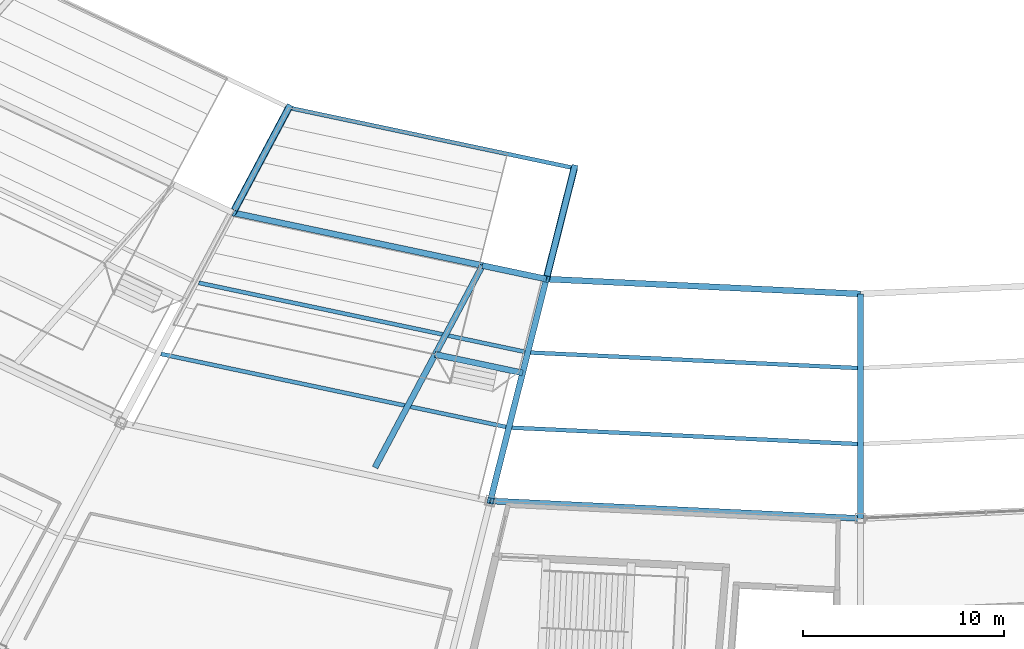
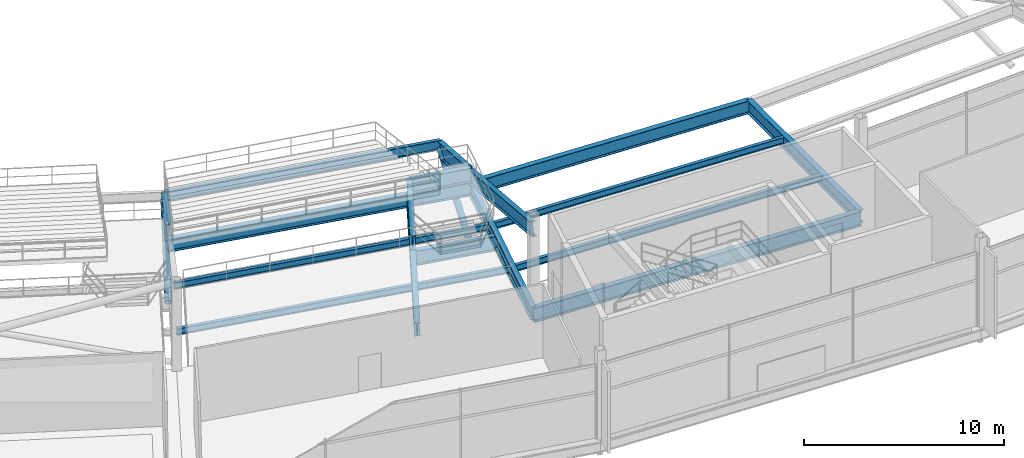
# One storey, part 32 of 186: 17 beams, 2 members.
"""IFC4 building model written with IfcOpenShell, lengths in metres."""

from ifc_helpers import new_model, si_unit, direction, frame, origin, origin_2d, place, context, subcontext, project, spatial, hollow_circle, i_section, extrude, material, material_profile, profile_set, type_object, element, save


model = new_model("IFC4")

# Units and contexts
model_context = context("Model", 3, precision=1e-05, world=origin(), true_north=direction((0.0, 1.0)))
body_context = subcontext(model_context, "Body", "Model", "MODEL_VIEW")
ifc_project = project(units=[si_unit("LENGTHUNIT", "METRE"), si_unit("AREAUNIT", "SQUARE_METRE"), si_unit("VOLUMEUNIT", "CUBIC_METRE"), si_unit("PLANEANGLEUNIT", "RADIAN"), si_unit("MASSUNIT", "GRAM", prefix="KILO")], contexts=[model_context])

# Site, building, storey
site_placement = place(None, origin())
site = spatial("IfcSite", under=ifc_project, at=site_placement, CompositionType="ELEMENT")
building_placement = place(site_placement, origin())
building = spatial("IfcBuilding", under=site, at=building_placement, Name="Kazemori Nagisa Stadium", CompositionType="ELEMENT")
storey_placement = place(building_placement, frame((0.0, 0.0, 20.39990234375)))
storey = spatial("IfcBuildingStorey", under=building, at=storey_placement, Name="L04", CompositionType="ELEMENT", Elevation=20.39990234375)

# Beams
ifc_material_1 = material(Name="Steel SN490B", Category="steel")
ifc_material_profile_1 = material_profile(ifc_material_1, i_section(OverallWidth=0.300048828125, OverallDepth=0.800048828125, WebThickness=0.013916015625, FlangeThickness=0.02587890625, FilletRadius=0.01806640625, at=origin_2d()), Name="H-800x300x14x26")
ifc_profile_set_1 = profile_set([ifc_material_profile_1], Name="Steel SN490B")
beam_type_1 = type_object("IfcBeamType", Name="Beam_BG-H800", PredefinedType="BEAM", material=ifc_profile_set_1)
beam_1_placement = place(storey_placement, frame((91.75244140625, 43.260986328125, -0.699951171875), z_axis=(0.978348272746, -0.206965352692, 0.0), x_axis=(0.206965352692, 0.978348272746, 0.0)))
element("IfcBeam", 1, at=beam_1_placement, inside=storey, type_object=beam_type_1, Name="Ring girder BG-H800 L04 R1-20", PredefinedType="BEAM", context=body_context, shape_type="SweptSolid", body=[
    extrude(i_section(OverallWidth=0.300048828125, OverallDepth=0.800048828125, WebThickness=0.013916015625, FlangeThickness=0.02587890625, FilletRadius=0.01806640625, at=origin_2d()), origin(), (0.0, 0.0, 1.0), 15.950927734375),
])
beam_2_placement = place(storey_placement, frame((107.35791015625, 39.959716796875, -0.699951171875), z_axis=(0.998883604512, -0.047239227746, 0.0), x_axis=(0.047239227746, 0.998883604512, 0.0)))
element("IfcBeam", 2, at=beam_2_placement, inside=storey, type_object=beam_type_1, Name="Ring girder BG-H800 L04 R1-21", PredefinedType="BEAM", context=body_context, shape_type="SweptSolid", body=[
    extrude(i_section(OverallWidth=0.300048828125, OverallDepth=0.800048828125, WebThickness=0.013916015625, FlangeThickness=0.02587890625, FilletRadius=0.01806640625, at=origin_2d()), origin(), (0.0, 0.0, 1.0), 15.65966796875),
])
beam_3_placement = place(storey_placement, frame((107.35791015625, 39.959716796875, -0.699951171875), z_axis=(-0.244481205955, -0.969654031052, 0.0), x_axis=(0.969654031052, -0.244481205955, 0.0)))
element("IfcBeam", 3, at=beam_3_placement, inside=storey, type_object=beam_type_1, Name="Radial girder BG-H800 L04 R1-R2-21", PredefinedType="BEAM", context=body_context, shape_type="SweptSolid", body=[
    extrude(i_section(OverallWidth=0.300048828125, OverallDepth=0.800048828125, WebThickness=0.013916015625, FlangeThickness=0.02587890625, FilletRadius=0.01806640625, at=origin_2d()), origin(), (0.0, 0.0, 1.0), 11.39404296875),
])
beam_4_placement = place(storey_placement, frame((123.0, 39.219970703125, -0.699951171875), z_axis=(0.0, -1.0, 0.0), x_axis=(1.0, 0.0, 0.0)))
element("IfcBeam", 4, at=beam_4_placement, inside=storey, type_object=beam_type_1, Name="Radial girder BG-H800 L04 R1-R2-22", PredefinedType="BEAM", context=body_context, shape_type="SweptSolid", body=[
    extrude(i_section(OverallWidth=0.300048828125, OverallDepth=0.800048828125, WebThickness=0.013916015625, FlangeThickness=0.02587890625, FilletRadius=0.01806640625, at=origin_2d()), origin(), (0.0, 0.0, 1.0), 11.179931640625),
])
beam_5_placement = place(storey_placement, frame((104.17822265625, 40.63232421875, -0.699951171875), z_axis=(-0.469654903731, -0.88285008433, 0.0), x_axis=(0.88285008433, -0.469654903731, 0.0)))
element("IfcBeam", 5, at=beam_5_placement, inside=storey, type_object=beam_type_1, Name="Upper vomitory radial carrier girder B20", PredefinedType="BEAM", context=body_context, shape_type="SweptSolid", body=[
    extrude(i_section(OverallWidth=0.300048828125, OverallDepth=0.800048828125, WebThickness=0.013916015625, FlangeThickness=0.02587890625, FilletRadius=0.01806640625, at=origin_2d()), origin(), (0.0, 0.0, 1.0), 11.39404296875),
])
ifc_material_profile_2 = material_profile(ifc_material_1, i_section(OverallWidth=0.300048828125, OverallDepth=0.89990234375, WebThickness=0.01611328125, FlangeThickness=0.028076171875, FilletRadius=0.01806640625, at=origin_2d()), Name="H-900x300x16x28")
ifc_profile_set_2 = profile_set([ifc_material_profile_2], Name="Steel SN490B")
beam_type_2 = type_object("IfcBeamType", Name="Beam_BG-H900", PredefinedType="BEAM", material=ifc_profile_set_2)
beam_6_placement = place(storey_placement, frame((104.572265625, 28.911376953125, -0.75), z_axis=(0.9988839804, -0.047231278829, 0.0), x_axis=(0.047231278829, 0.9988839804, 0.0)))
element("IfcBeam", 6, at=beam_6_placement, inside=storey, type_object=beam_type_2, Name="Ring girder BG-H900 L04 R2-21", PredefinedType="BEAM", context=body_context, shape_type="SweptSolid", body=[
    extrude(i_section(OverallWidth=0.300048828125, OverallDepth=0.89990234375, WebThickness=0.01611328125, FlangeThickness=0.028076171875, FilletRadius=0.01806640625, at=origin_2d()), origin(), (0.0, 0.0, 1.0), 18.4482421875),
])
ifc_material_profile_3 = material_profile(ifc_material_1, i_section(OverallWidth=0.300048828125, OverallDepth=0.89990234375, WebThickness=0.01806640625, FlangeThickness=0.031982421875, FilletRadius=0.01806640625, at=origin_2d()), Name="H-900x300x18x32")
ifc_profile_set_3 = profile_set([ifc_material_profile_3], Name="Steel SN490B")
beam_type_3 = type_object("IfcBeamType", Name="Beam_BG-TR900", PredefinedType="BEAM", material=ifc_profile_set_3)
beam_7_placement = place(storey_placement, frame((104.17822265625, 40.63232421875, 0.150146484375), z_axis=(-0.469650127636, -0.882852625081, 0.0), x_axis=(0.882852625081, -0.469650127636, 0.0)))
element("IfcBeam", 7, at=beam_7_placement, inside=storey, type_object=beam_type_3, Name="Upper vomitory left transfer girder B20", PredefinedType="BEAM", context=body_context, shape_type="SweptSolid", body=[
    extrude(i_section(OverallWidth=0.300048828125, OverallDepth=0.89990234375, WebThickness=0.01806640625, FlangeThickness=0.031982421875, FilletRadius=0.01806640625, at=origin_2d()), origin(), (0.0, 0.0, 1.0), 5.0126953125),
])
beam_8_placement = place(storey_placement, frame((101.823974609375, 36.206787109375, -0.75), z_axis=(0.978345645514, -0.206977771521, 0.0), x_axis=(0.206977771521, 0.978345645514, 0.0)))
element("IfcBeam", 8, at=beam_8_placement, inside=storey, type_object=beam_type_3, Name="Upper vomitory portal header girder B20", PredefinedType="BEAM", context=body_context, shape_type="SweptSolid", body=[
    extrude(i_section(OverallWidth=0.300048828125, OverallDepth=0.89990234375, WebThickness=0.01806640625, FlangeThickness=0.031982421875, FilletRadius=0.01806640625, at=origin_2d()), origin(), (0.0, 0.0, 1.0), 4.45166015625),
])
beam_9_placement = place(storey_placement, frame((104.17822265625, 40.63232421875, 0.150146484375), z_axis=(0.9783508731, -0.20695306015, 0.0), x_axis=(0.20695306015, 0.9783508731, 0.0)))
element("IfcBeam", 9, at=beam_9_placement, inside=storey, type_object=beam_type_3, Name="Upper vomitory inner sill girder B20", PredefinedType="BEAM", context=body_context, shape_type="SweptSolid", body=[
    extrude(i_section(OverallWidth=0.300048828125, OverallDepth=0.89990234375, WebThickness=0.01806640625, FlangeThickness=0.031982421875, FilletRadius=0.01806640625, at=origin_2d()), origin(), (0.0, 0.0, 1.0), 3.25),
])
ifc_material_profile_4 = material_profile(ifc_material_1, i_section(OverallWidth=0.199951171875, OverallDepth=0.39990234375, WebThickness=0.008056640625, FlangeThickness=0.012939453125, FilletRadius=0.012939453125, at=origin_2d()), Name="H-400x200x8x13")
ifc_profile_set_4 = profile_set([ifc_material_profile_4], Name="Steel SN490B")
beam_type_4 = type_object("IfcBeamType", Name="Beam_BJ-H400", PredefinedType="JOIST", material=ifc_profile_set_4)
beam_10_placement = place(storey_placement, frame((90.0537109375, 39.771240234375, -0.5), z_axis=(0.978343632453, -0.206987286659, 0.0), x_axis=(0.206987286659, 0.978343632453, 0.0)))
element("IfcBeam", 10, at=beam_10_placement, inside=storey, type_object=beam_type_4, Name="Concourse joist BJ-H400 L04 B20-1", PredefinedType="JOIST", context=body_context, shape_type="SweptSolid", body=[
    extrude(i_section(OverallWidth=0.199951171875, OverallDepth=0.39990234375, WebThickness=0.008056640625, FlangeThickness=0.012939453125, FilletRadius=0.012939453125, at=origin_2d()), origin(), (0.0, 0.0, 1.0), 16.600341796875),
])
beam_11_placement = place(storey_placement, frame((88.17041015625, 36.230712890625, -0.5), z_axis=(0.978344127253, -0.206984947931, 0.0), x_axis=(0.206984947931, 0.978344127253, 0.0)))
element("IfcBeam", 11, at=beam_11_placement, inside=storey, type_object=beam_type_4, Name="Concourse joist BJ-H400 L04 B20-2", PredefinedType="JOIST", context=body_context, shape_type="SweptSolid", body=[
    extrude(i_section(OverallWidth=0.199951171875, OverallDepth=0.39990234375, WebThickness=0.008056640625, FlangeThickness=0.012939453125, FilletRadius=0.012939453125, at=origin_2d()), origin(), (0.0, 0.0, 1.0), 17.561767578125),
])
beam_12_placement = place(storey_placement, frame((106.581298828125, 36.29833984375, -0.5), z_axis=(0.998883881507, -0.047233370256, 0.0), x_axis=(0.047233370256, 0.998883881507, 0.0)))
element("IfcBeam", 12, at=beam_12_placement, inside=storey, type_object=beam_type_4, Name="Concourse joist BJ-H400 L04 B21-1", PredefinedType="JOIST", context=body_context, shape_type="SweptSolid", body=[
    extrude(i_section(OverallWidth=0.199951171875, OverallDepth=0.39990234375, WebThickness=0.008056640625, FlangeThickness=0.012939453125, FilletRadius=0.012939453125, at=origin_2d()), origin(), (0.0, 0.0, 1.0), 16.2919921875),
])
beam_13_placement = place(storey_placement, frame((105.638427734375, 32.558837890625, -0.5), z_axis=(0.998884295209, -0.047224620536, 0.0), x_axis=(0.047224620536, 0.998884295209, 0.0)))
element("IfcBeam", 13, at=beam_13_placement, inside=storey, type_object=beam_type_4, Name="Concourse joist BJ-H400 L04 B21-2", PredefinedType="JOIST", context=body_context, shape_type="SweptSolid", body=[
    extrude(i_section(OverallWidth=0.199951171875, OverallDepth=0.39990234375, WebThickness=0.008056640625, FlangeThickness=0.012939453125, FilletRadius=0.012939453125, at=origin_2d()), origin(), (0.0, 0.0, 1.0), 17.236083984375),
])
ifc_material_profile_5 = material_profile(ifc_material_1, i_section(OverallWidth=0.199951171875, OverallDepth=0.60009765625, WebThickness=0.010986328125, FlangeThickness=0.01708984375, FilletRadius=0.012939453125, at=origin_2d()), Name="H-600x200x11x17")
ifc_profile_set_5 = profile_set([ifc_material_profile_5], Name="Steel SN490B")
beam_type_5 = type_object("IfcBeamType", Name="Beam_BS-H600", PredefinedType="SPANDREL", material=ifc_profile_set_5)
beam_14_placement = place(storey_placement, frame((94.534912109375, 48.4912109375, -1.885009765625), z_axis=(0.978343749073, -0.206986735446, 0.0), x_axis=(0.206986735446, 0.978343749073, 0.0)))
element("IfcBeam", 14, at=beam_14_placement, inside=storey, type_object=beam_type_5, Name="Upper tier front ring beam 20", PredefinedType="SPANDREL", context=body_context, shape_type="SweptSolid", body=[
    extrude(i_section(OverallWidth=0.199951171875, OverallDepth=0.60009765625, WebThickness=0.010986328125, FlangeThickness=0.01708984375, FilletRadius=0.012939453125, at=origin_2d()), origin(), (0.0, 0.0, 1.0), 14.5302734375),
])
ifc_material_profile_6 = material_profile(ifc_material_1, i_section(OverallWidth=0.300048828125, OverallDepth=0.800048828125, WebThickness=0.013916015625, FlangeThickness=0.02587890625, FilletRadius=0.01806640625, at=origin_2d()), Name="H-800x300x14x26")
ifc_profile_set_6 = profile_set([ifc_material_profile_6], Name="Steel SN490B")
beam_type_6 = type_object("IfcBeamType", Name="Beam_RK-ST800", PredefinedType="USERDEFINED", material=ifc_profile_set_6)
beam_15_placement = place(storey_placement, frame((107.35791015625, 39.959716796875, 0.02001953125), z_axis=(-0.227863469401, -0.903745262427, 0.362384795421), x_axis=(0.969654031052, -0.244481205955, 0.0)))
element("IfcBeam", 15, at=beam_15_placement, inside=storey, type_object=beam_type_6, Name="Raker beam upper backspan RK3-21B", ObjectType="RAKER BEAM", PredefinedType="USERDEFINED", context=body_context, shape_type="SweptSolid", body=[
    extrude(i_section(OverallWidth=0.300048828125, OverallDepth=0.800048828125, WebThickness=0.013916015625, FlangeThickness=0.02587890625, FilletRadius=0.01806640625, at=origin_2d()), origin(), (0.0, 0.0, 1.0), 12.22509765625),
])
ifc_material_profile_7 = material_profile(ifc_material_1, i_section(OverallWidth=0.300048828125, OverallDepth=0.89990234375, WebThickness=0.01611328125, FlangeThickness=0.028076171875, FilletRadius=0.01806640625, at=origin_2d()), Name="H-900x300x16x28")
ifc_profile_set_7 = profile_set([ifc_material_profile_7], Name="Steel SN490B")
beam_type_7 = type_object("IfcBeamType", Name="Beam_RK-ST900", PredefinedType="USERDEFINED", material=ifc_profile_set_7)
beam_16_placement = place(storey_placement, frame((94.534912109375, 48.4912109375, -2.14990234375), z_axis=(-0.441018272718, -0.828984334161, 0.343930017366), x_axis=(0.882841850635, -0.469670380978, 0.0)))
element("IfcBeam", 16, at=beam_16_placement, inside=storey, type_object=beam_type_7, Name="Raker beam upper cantilever RK3-20A", ObjectType="RAKER BEAM", PredefinedType="USERDEFINED", context=body_context, shape_type="SweptSolid", body=[
    extrude(i_section(OverallWidth=0.300048828125, OverallDepth=0.89990234375, WebThickness=0.01611328125, FlangeThickness=0.028076171875, FilletRadius=0.01806640625, at=origin_2d()), origin(), (0.0, 0.0, 1.0), 6.30908203125),
])
beam_17_placement = place(storey_placement, frame((108.75048828125, 45.483642578125, -2.14990234375), z_axis=(-0.22844014143, -0.906151234222, 0.355956517712), x_axis=(0.969661628586, -0.244451070868, 0.0)))
element("IfcBeam", 17, at=beam_17_placement, inside=storey, type_object=beam_type_7, Name="Raker beam upper cantilever RK3-21A", ObjectType="RAKER BEAM", PredefinedType="USERDEFINED", context=body_context, shape_type="SweptSolid", body=[
    extrude(i_section(OverallWidth=0.300048828125, OverallDepth=0.89990234375, WebThickness=0.01611328125, FlangeThickness=0.028076171875, FilletRadius=0.01806640625, at=origin_2d()), origin(), (0.0, 0.0, 1.0), 6.095947265625),
])

# Members
ifc_material_2 = material(Name="Steel STK490", Category="steel")
ifc_material_profile_8 = material_profile(ifc_material_2, hollow_circle(Radius=0.177734375, WallThickness=0.0126953125, at=origin_2d()), Name="CHS-355.6x12.7")
ifc_profile_set_8 = profile_set([ifc_material_profile_8], Name="Steel STK490")
member_type = type_object("IfcMemberType", Name="Member_TB-CHS355", PredefinedType="BRACE", material=ifc_profile_set_8)
member_1_placement = place(storey_placement, frame((91.75244140625, 43.260986328125, -4.25), z_axis=(0.442679245827, 0.832106473927, 0.334116598456), x_axis=(-0.882841850635, 0.469670380978, 0.0)))
element("IfcMember", 18, at=member_1_placement, inside=storey, type_object=member_type, Name="Upper tier cantilever truss strut UT-20", PredefinedType="BRACE", context=body_context, shape_type="SweptSolid", body=[
    extrude(hollow_circle(Radius=0.177734375, WallThickness=0.0126953125, at=origin_2d()), origin(), (0.0, 0.0, 1.0), 6.28564453125),
])
member_2_placement = place(storey_placement, frame((107.35791015625, 39.959716796875, -4.25), z_axis=(0.229362090692, 0.909808321179, 0.345892830318), x_axis=(-0.969661628586, 0.244451070868, 0.0)))
element("IfcMember", 19, at=member_2_placement, inside=storey, type_object=member_type, Name="Upper tier cantilever truss strut UT-21", PredefinedType="BRACE", context=body_context, shape_type="SweptSolid", body=[
    extrude(hollow_circle(Radius=0.177734375, WallThickness=0.0126953125, at=origin_2d()), origin(), (0.0, 0.0, 1.0), 6.071533203125),
])

save(model, "model.ifc")
